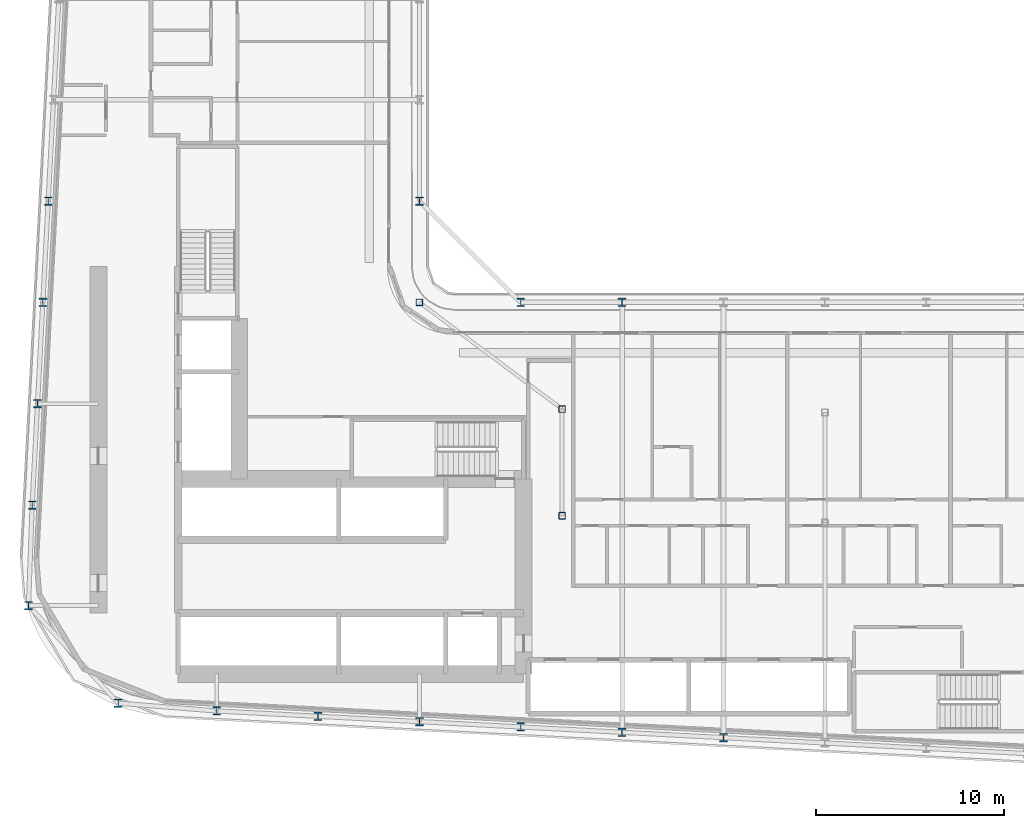
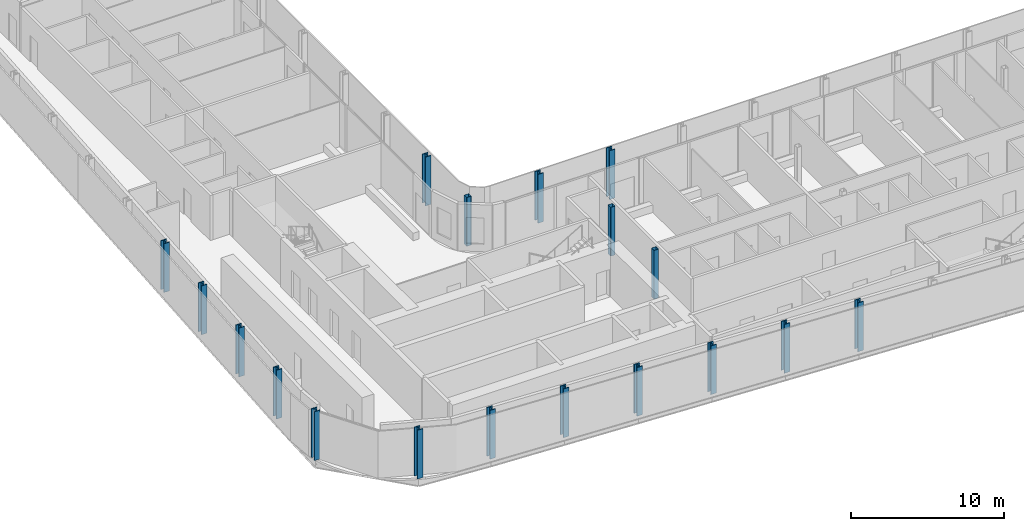
# One storey, part 1 of 25: 18 columns.
"""IFC4 building model written with IfcOpenShell, lengths in metres."""

from ifc_helpers import new_model, si_unit, direction, frame, origin, origin_2d, place, context, subcontext, project, spatial, hollow_rectangle, i_section, extrude, material, material_profile, profile_set, type_object, element, save


model = new_model("IFC4")

# Units and contexts
model_context = context("Model", 3, precision=1e-05, world=origin(), true_north=direction((0.0, 1.0)))
body_context = subcontext(model_context, "Body", "Model", "MODEL_VIEW")
ifc_project = project(units=[si_unit("LENGTHUNIT", "METRE"), si_unit("AREAUNIT", "SQUARE_METRE"), si_unit("VOLUMEUNIT", "CUBIC_METRE"), si_unit("PLANEANGLEUNIT", "RADIAN"), si_unit("MASSUNIT", "GRAM", prefix="KILO")], contexts=[model_context])

# Site, building, storey
site_placement = place(None, origin())
site = spatial("IfcSite", under=ifc_project, at=site_placement, CompositionType="ELEMENT")
building_placement = place(site_placement, origin())
building = spatial("IfcBuilding", under=site, at=building_placement, Name="Kheshtan School and Residences Tower", CompositionType="ELEMENT")
storey_placement = place(building_placement, frame((0.0, 0.0, 109.699951171875)))
storey = spatial("IfcBuildingStorey", under=building, at=storey_placement, Name="L25", CompositionType="ELEMENT", Elevation=109.699951171875)

# Columns
ifc_material_1 = material(Name="Steel ASTM A992 Grade 50", Category="steel")
ifc_material_profile_1 = material_profile(ifc_material_1, i_section(OverallWidth=0.41796875, OverallDepth=0.455078125, WebThickness=0.042236328125, FlangeThickness=0.067626953125, FilletRadius=0.013671875, at=origin_2d()), Name="W360x551")
ifc_profile_set_1 = profile_set([ifc_material_profile_1], Name="Steel ASTM A992 Grade 50")
column_type_1 = type_object("IfcColumnType", Name="Column C2 W360x551 ASTM A992 Grade 50", PredefinedType="COLUMN", material=ifc_profile_set_1)
for number, where, z_axis, x_axis, name in (
    (1, (63.800048828125, 22.410888671875, 0.0), (0.0, 0.0, 1.0), (1.0, 0.0, 0.0), "Column C016"),
    (2, (58.39990234375, 22.695068359375, 0.0), (0.0, 0.0, 1.0), (1.0, 0.0, 0.0), "Column C018"),
    (3, (53.0, 22.97998046875, 0.0), (0.0, 0.0, 1.0), (1.0, 0.0, 0.0), "Column C019"),
    (4, (47.60009765625, 23.263916015625, 0.0), (0.0, 0.0, 1.0), (1.0, 0.0, 0.0), "Column C020"),
    (5, (42.199951171875, 23.548095703125, 0.0), (0.0, 0.0, 1.0), (1.0, 0.0, 0.0), "Column C021"),
    (6, (36.800048828125, 23.83203125, 0.0), (0.0, 0.0, 1.0), (1.0, 0.0, 0.0), "Column C022"),
    (7, (31.549072265625, 24.25, 0.0), (0.0, 0.0, 1.0), (1.0, 0.0, 0.0), "Column C024"),
    (8, (26.77197265625, 29.449951171875, 0.0), (0.0, 0.0, 1.0), (1.0, 0.0, 0.0), "Column C037"),
    (9, (26.968994140625, 34.800048828125, 0.0), (0.0, 0.0, 1.0), (1.0, 0.0, 0.0), "Column C052"),
    (10, (27.2529296875, 40.199951171875, 0.0), (0.0, 0.0, 1.0), (1.0, 0.0, 0.0), "Column C056"),
    (11, (27.537109375, 45.60009765625, 0.0), (0.0, 0.0, 1.0), (1.0, 0.0, 0.0), "Column C059"),
    (12, (53.0, 45.60009765625, 0.0), (0.0, 0.0, 1.0), (1.0, 0.0, 0.0), "Column C061"),
    (13, (58.39990234375, 45.60009765625, 0.0), (0.0, 0.0, 1.0), (1.0, 0.0, 0.0), "Column C062"),
    (14, (27.822021484375, 51.0, 0.0), (0.0, 0.0, 1.0), (1.0, 0.0, 0.0), "Column C078"),
    (15, (47.60009765625, 51.0, 0.0), (0.0, 0.0, 1.0), (1.0, 0.0, 0.0), "Column C079"),
):
    element("IfcColumn", number, at=place(storey_placement, frame(where, z_axis=z_axis, x_axis=x_axis)), inside=storey, type_object=column_type_1, Name=name, PredefinedType="COLUMN", context=body_context, shape_type="SweptSolid", body=[
        extrude(i_section(OverallWidth=0.41796875, OverallDepth=0.455078125, WebThickness=0.042236328125, FlangeThickness=0.067626953125, FilletRadius=0.013671875, at=origin_2d()), origin(), (0.0, 0.0, 1.0), 3.900146484375),
    ])
ifc_material_2 = material(Name="Steel ASTM A500 Grade C", Category="steel")
ifc_material_profile_2 = material_profile(ifc_material_2, hollow_rectangle(XDim=0.35595703125, YDim=0.35595703125, WallThickness=0.015869140625, InnerFilletRadius=0.015869140625, OuterFilletRadius=0.03173828125, at=origin_2d()), Name="HSS 356x356x15.9")
ifc_profile_set_2 = profile_set([ifc_material_profile_2], Name="Steel ASTM A500 Grade C")
column_type_2 = type_object("IfcColumnType", Name="Column IC1 HSS 356x356x15.9 ASTM A500 Grade C", PredefinedType="COLUMN", material=ifc_profile_set_2)
for number, where, z_axis, x_axis, name in (
    (16, (55.199951171875, 34.23193359375, 0.0), (0.0, 0.0, 1.0), (1.0, 0.0, 0.0), "Column C051"),
    (17, (55.199951171875, 39.916015625, 0.0), (0.0, 0.0, 1.0), (1.0, 0.0, 0.0), "Column C055"),
    (18, (47.60009765625, 45.60009765625, 0.0), (0.0, 0.0, 1.0), (1.0, 0.0, 0.0), "Column C060"),
):
    element("IfcColumn", number, at=place(storey_placement, frame(where, z_axis=z_axis, x_axis=x_axis)), inside=storey, type_object=column_type_2, Name=name, PredefinedType="COLUMN", context=body_context, shape_type="SweptSolid", body=[
        extrude(hollow_rectangle(XDim=0.35595703125, YDim=0.35595703125, WallThickness=0.015869140625, InnerFilletRadius=0.015869140625, OuterFilletRadius=0.03173828125, at=origin_2d()), origin(), (0.0, 0.0, 1.0), 3.900146484375),
    ])

save(model, "model.ifc")
